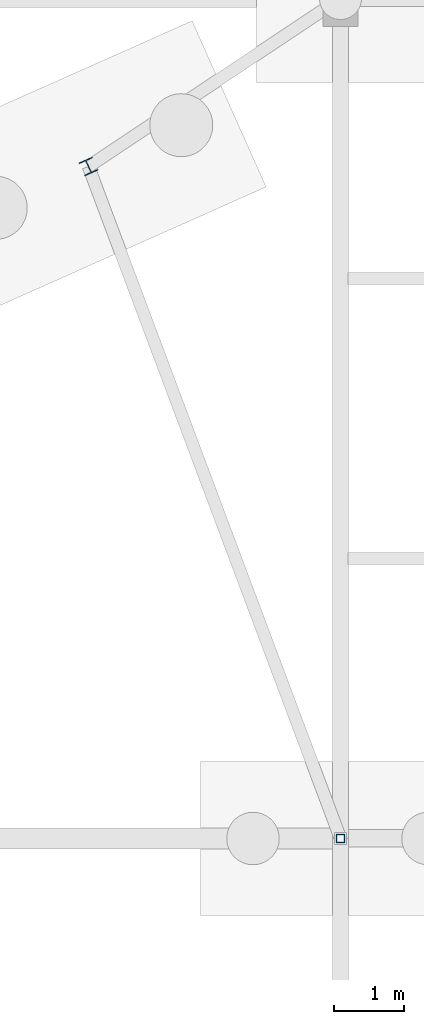
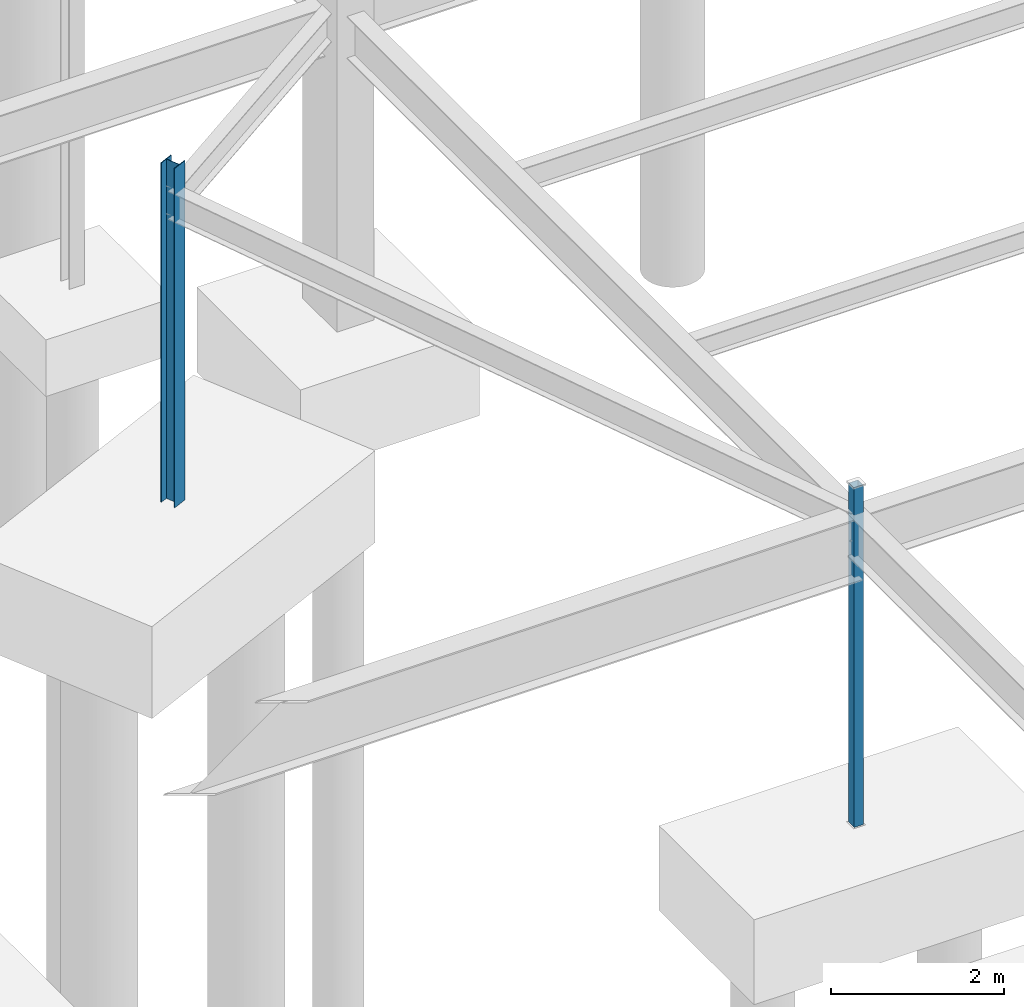
# One storey, part 50 of 136: 2 columns.
"""IFC4 building model written with IfcOpenShell, lengths in metres."""

from ifc_helpers import new_model, si_unit, direction, frame, origin, origin_2d, place, context, subcontext, project, spatial, hollow_rectangle, i_section, extrude, material, material_profile, profile_set, type_object, element, save


model = new_model("IFC4")

# Units and contexts
model_context = context("Model", 3, precision=1e-05, world=origin(), true_north=direction((0.0, 1.0)))
body_context = subcontext(model_context, "Body", "Model", "MODEL_VIEW")
ifc_project = project(units=[si_unit("LENGTHUNIT", "METRE"), si_unit("AREAUNIT", "SQUARE_METRE"), si_unit("VOLUMEUNIT", "CUBIC_METRE"), si_unit("PLANEANGLEUNIT", "RADIAN"), si_unit("MASSUNIT", "GRAM", prefix="KILO")], contexts=[model_context])

# Site, building, storey
site_placement = place(None, origin())
site = spatial("IfcSite", under=ifc_project, at=site_placement, CompositionType="ELEMENT")
building_placement = place(site_placement, origin())
building = spatial("IfcBuilding", under=site, at=building_placement, Name="Tarnwether General Hospital", CompositionType="ELEMENT")
storey_placement = place(building_placement, frame((0.0, 0.0, -4.800048828125)))
storey = spatial("IfcBuildingStorey", under=building, at=storey_placement, Name="LG", CompositionType="ELEMENT", Elevation=-4.800048828125)

# Columns
ifc_material_1 = material(Name="Steel Grade 350 (350 MPa)", Category="steel")
ifc_material_profile_1 = material_profile(ifc_material_1, i_section(OverallWidth=0.202880859375, OverallDepth=0.202880859375, WebThickness=0.00732421875, FlangeThickness=0.010986328125, at=origin_2d()), Name="200UC46.2")
ifc_profile_set_1 = profile_set([ifc_material_profile_1], Name="Steel Grade 350 (350 MPa)")
column_type_1 = type_object("IfcColumnType", Name="COL-27", PredefinedType="COLUMN", material=ifc_profile_set_1)
column_1_placement = place(storey_placement, frame((140.39990234375, 43.199951171875, 0.0), z_axis=(0.0, 0.0, 1.0), x_axis=(0.913545457643, 0.406736643076, 0.0)))
element("IfcColumn", 1, at=column_1_placement, inside=storey, type_object=column_type_1, Name="Column COLG-LG-14040_4320", PredefinedType="COLUMN", context=body_context, shape_type="SweptSolid", body=[
    extrude(i_section(OverallWidth=0.202880859375, OverallDepth=0.202880859375, WebThickness=0.00732421875, FlangeThickness=0.010986328125, at=origin_2d()), origin(), (0.0, 0.0, 1.0), 4.800048828125),
])
ifc_material_2 = material(Name="Steel Grade C350L0 (350 MPa)", Category="steel")
ifc_material_profile_2 = material_profile(ifc_material_2, hollow_rectangle(XDim=0.125, YDim=0.125, WallThickness=0.006103515625, at=origin_2d()), Name="SHS125x125x6")
ifc_profile_set_2 = profile_set([ifc_material_profile_2], Name="Steel Grade C350L0 (350 MPa)")
column_type_2 = type_object("IfcColumnType", Name="COL-34", PredefinedType="COLUMN", material=ifc_profile_set_2)
column_2_placement = place(storey_placement, frame((144.0, 33.60009765625, 0.0), z_axis=(0.0, 0.0, 1.0), x_axis=(1.0, 0.0, 0.0)))
element("IfcColumn", 2, at=column_2_placement, inside=storey, type_object=column_type_2, Name="Column COLG-LG-14400_3360", PredefinedType="COLUMN", context=body_context, shape_type="SweptSolid", body=[
    extrude(hollow_rectangle(XDim=0.125, YDim=0.125, WallThickness=0.006103515625, at=origin_2d()), origin(), (0.0, 0.0, 1.0), 4.800048828125),
])

save(model, "model.ifc")
